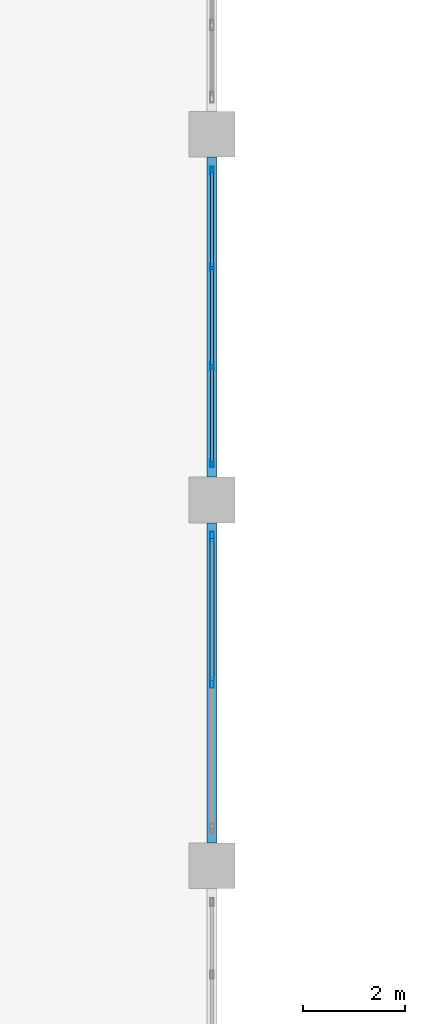
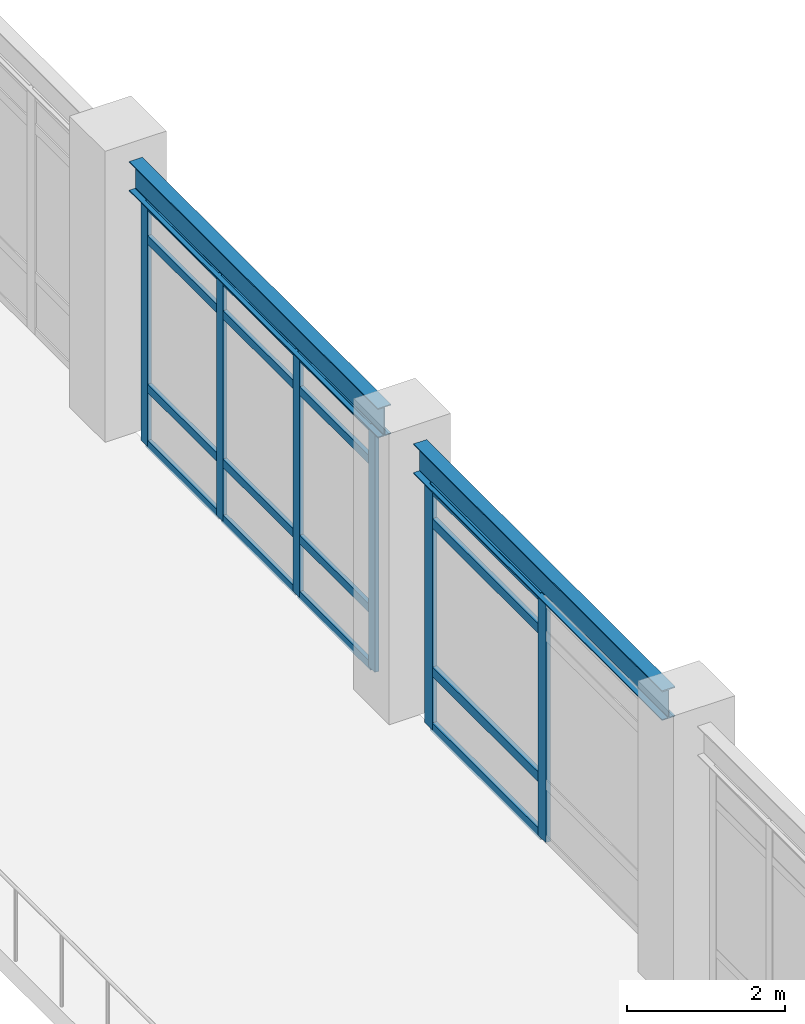
# One storey, part 16 of 106: 22 members, 2 beams, 2 elements without a shape of their own.
"""IFC4 building model written with IfcOpenShell, lengths in metres."""

from ifc_helpers import new_model, si_unit, direction, frame, origin, origin_2d, place, context, subcontext, project, spatial, hollow_rectangle, i_section, extrude, material, layer, layer_set, material_profile, profile_set, type_object, element, aggregate, save


model = new_model("IFC4")

# Units and contexts
model_context = context("Model", 3, precision=1e-05, world=origin(), true_north=direction((0.0, 1.0)))
body_context = subcontext(model_context, "Body", "Model", "MODEL_VIEW")
ifc_project = project(units=[si_unit("LENGTHUNIT", "METRE"), si_unit("AREAUNIT", "SQUARE_METRE"), si_unit("VOLUMEUNIT", "CUBIC_METRE"), si_unit("PLANEANGLEUNIT", "RADIAN"), si_unit("MASSUNIT", "GRAM", prefix="KILO")], contexts=[model_context])

# Site, building, storey
site_placement = place(None, origin())
site = spatial("IfcSite", under=ifc_project, at=site_placement, CompositionType="ELEMENT")
building_placement = place(site_placement, origin())
building = spatial("IfcBuilding", under=site, at=building_placement, Name="Carrowvane Square Congress Hotel", CompositionType="ELEMENT")
storey_placement = place(building_placement, frame((0.0, 0.0, 10.5)))
storey = spatial("IfcBuildingStorey", under=building, at=storey_placement, Name="L02", CompositionType="ELEMENT", Elevation=10.5)

# Beams
ifc_material_1 = material(Name="Steel S355", Category="steel")
ifc_material_profile_1 = material_profile(ifc_material_1, i_section(OverallWidth=0.19140625, OverallDepth=0.4599609375, WebThickness=0.010009765625, FlangeThickness=0.01611328125, FilletRadius=0.01025390625, at=origin_2d()), Name="UKB 457x191x82")
ifc_profile_set_1 = profile_set([ifc_material_profile_1], Name="Steel S355")
beam_type = type_object("IfcBeamType", Name="BM-ST-UKB457", PredefinedType="SPANDREL", material=ifc_profile_set_1)
for number, where, z_axis, x_axis, name in (
    (1, (62.0, 13.050048828125, 3.989990234375), (0.0, 1.0, 0.0), (-1.0, 0.0, 0.0), "L03 girder 8/B-C"),
    (2, (62.0, 20.25, 3.989990234375), (0.0, 1.0, 0.0), (-1.0, 0.0, 0.0), "L03 girder 8/C-D"),
):
    element("IfcBeam", number, at=place(storey_placement, frame(where, z_axis=z_axis, x_axis=x_axis)), inside=storey, type_object=beam_type, Name=name, PredefinedType="SPANDREL", context=body_context, shape_type="SweptSolid", body=[
        extrude(i_section(OverallWidth=0.19140625, OverallDepth=0.4599609375, WebThickness=0.010009765625, FlangeThickness=0.01611328125, FilletRadius=0.01025390625, at=origin_2d()), origin(), (0.0, 0.0, 1.0), 6.300048828125),
    ])

# Curtain wall, members
ifc_material_2 = material(Name="Anodised aluminium", Category="aluminium")
ifc_layer_1 = layer(ifc_material_2, 0.18603515625)
ifc_layer_set_1 = layer_set([ifc_layer_1], Name="Anodised aluminium")
curtain_wall_type_1 = type_object("IfcCurtainWallType", Name="CW-SYS-3", PredefinedType="NOTDEFINED", material=ifc_layer_set_1)
curtain_wall_1_placement = place(storey_placement, origin())
curtain_wall_1 = element("IfcCurtainWall", 3, at=curtain_wall_1_placement, inside=storey, type_object=curtain_wall_type_1, Name="L02 unitised curtain wall 186", PredefinedType="NOTDEFINED")
ifc_material_3 = material(Name="Anodised aluminium", Category="aluminium")
ifc_material_profile_2 = material_profile(ifc_material_3, hollow_rectangle(XDim=0.06005859375, YDim=0.159912109375, WallThickness=0.00390625, at=origin_2d()), Name="CW-ML 60x160x4")
ifc_profile_set_2 = profile_set([ifc_material_profile_2], Name="Anodised aluminium")
member_type_1 = type_object("IfcMemberType", Name="CW-MUL-1", PredefinedType="MULLION", material=ifc_profile_set_2)
member_1_placement = place(storey_placement, frame((62.0, 26.280029296875, 0.0), z_axis=(0.0, 0.0, 1.0), x_axis=(1.0, 0.0, 0.0)))
member_1 = element("IfcMember", 4, at=member_1_placement, type_object=member_type_1, Name="CW-3 mullion 1", PredefinedType="MULLION", context=body_context, shape_type="SweptSolid", body=[
    extrude(hollow_rectangle(XDim=0.06005859375, YDim=0.159912109375, WallThickness=0.00390625, at=origin_2d()), origin(), (0.0, 0.0, 1.0), 3.7451171875),
])
member_2_placement = place(storey_placement, frame((62.0, 24.3701171875, 0.0), z_axis=(0.0, 0.0, 1.0), x_axis=(1.0, 0.0, 0.0)))
member_2 = element("IfcMember", 5, at=member_2_placement, type_object=member_type_1, Name="CW-3 mullion 2", PredefinedType="MULLION", context=body_context, shape_type="SweptSolid", body=[
    extrude(hollow_rectangle(XDim=0.06005859375, YDim=0.159912109375, WallThickness=0.00390625, at=origin_2d()), origin(), (0.0, 0.0, 1.0), 3.7451171875),
])
member_3_placement = place(storey_placement, frame((62.0, 22.429931640625, 0.0), z_axis=(0.0, 0.0, 1.0), x_axis=(1.0, 0.0, 0.0)))
member_3 = element("IfcMember", 6, at=member_3_placement, type_object=member_type_1, Name="CW-3 mullion 3", PredefinedType="MULLION", context=body_context, shape_type="SweptSolid", body=[
    extrude(hollow_rectangle(XDim=0.06005859375, YDim=0.159912109375, WallThickness=0.00390625, at=origin_2d()), origin(), (0.0, 0.0, 1.0), 3.7451171875),
])
member_4_placement = place(storey_placement, frame((62.0, 20.52001953125, 0.0), z_axis=(0.0, 0.0, 1.0), x_axis=(1.0, 0.0, 0.0)))
member_4 = element("IfcMember", 7, at=member_4_placement, type_object=member_type_1, Name="CW-3 mullion 4", PredefinedType="MULLION", context=body_context, shape_type="SweptSolid", body=[
    extrude(hollow_rectangle(XDim=0.06005859375, YDim=0.159912109375, WallThickness=0.00390625, at=origin_2d()), origin(), (0.0, 0.0, 1.0), 3.7451171875),
])

ifc_material_4 = material(Name="Anodised aluminium", Category="aluminium")
ifc_layer_2 = layer(ifc_material_4, 0.197998046875)
ifc_layer_set_2 = layer_set([ifc_layer_2], Name="Anodised aluminium")
curtain_wall_type_2 = type_object("IfcCurtainWallType", Name="CW-SYS-4", PredefinedType="NOTDEFINED", material=ifc_layer_set_2)
curtain_wall_2_placement = place(storey_placement, origin())
curtain_wall_2 = element("IfcCurtainWall", 8, at=curtain_wall_2_placement, inside=storey, type_object=curtain_wall_type_2, Name="L02 unitised curtain wall 187", PredefinedType="NOTDEFINED")
ifc_material_5 = material(Name="Anodised aluminium", Category="aluminium")
ifc_material_profile_3 = material_profile(ifc_material_5, hollow_rectangle(XDim=0.070068359375, YDim=0.199951171875, WallThickness=0.0048828125, at=origin_2d()), Name="CW-ML 70x200x5")
ifc_profile_set_3 = profile_set([ifc_material_profile_3], Name="Anodised aluminium")
member_type_2 = type_object("IfcMemberType", Name="CW-MUL-2", PredefinedType="MULLION", material=ifc_profile_set_3)
member_5_placement = place(storey_placement, frame((62.0, 19.074951171875, 0.0), z_axis=(0.0, 0.0, 1.0), x_axis=(1.0, 0.0, 0.0)))
member_5 = element("IfcMember", 9, at=member_5_placement, type_object=member_type_2, Name="CW-4 mullion 1", PredefinedType="MULLION", context=body_context, shape_type="SweptSolid", body=[
    extrude(hollow_rectangle(XDim=0.070068359375, YDim=0.199951171875, WallThickness=0.0048828125, at=origin_2d()), origin(), (0.0, 0.0, 1.0), 3.7451171875),
])
member_6_placement = place(storey_placement, frame((62.0, 16.199951171875, 0.0), z_axis=(0.0, 0.0, 1.0), x_axis=(1.0, 0.0, 0.0)))
member_6 = element("IfcMember", 10, at=member_6_placement, type_object=member_type_2, Name="CW-4 mullion 2", PredefinedType="MULLION", context=body_context, shape_type="SweptSolid", body=[
    extrude(hollow_rectangle(XDim=0.070068359375, YDim=0.199951171875, WallThickness=0.0048828125, at=origin_2d()), origin(), (0.0, 0.0, 1.0), 3.7451171875),
])

# Member
ifc_material_6 = material(Name="Anodised aluminium", Category="aluminium")
ifc_material_profile_4 = material_profile(ifc_material_6, hollow_rectangle(XDim=0.06005859375, YDim=0.1298828125, WallThickness=0.00390625, at=origin_2d()), Name="CW-TR 60x130x4")
ifc_profile_set_4 = profile_set([ifc_material_profile_4], Name="Anodised aluminium")
member_type_3 = type_object("IfcMemberType", Name="CW-TRN-1", PredefinedType="USERDEFINED", material=ifc_profile_set_4)
member_7_placement = place(storey_placement, frame((62.0, 26.25, 0.030029296875), z_axis=(0.0, -1.0, 0.0), x_axis=(1.0, 0.0, 0.0)))
member_7 = element("IfcMember", 11, at=member_7_placement, type_object=member_type_3, Name="CW-3 transom 1.1", ObjectType="TRANSOM", PredefinedType="USERDEFINED", context=body_context, shape_type="SweptSolid", body=[
    extrude(hollow_rectangle(XDim=0.06005859375, YDim=0.1298828125, WallThickness=0.00390625, at=origin_2d()), origin(), (0.0, 0.0, 1.0), 1.85009765625),
])

member_8_placement = place(storey_placement, frame((62.0, 26.25, 0.89990234375), z_axis=(0.0, -1.0, 0.0), x_axis=(1.0, 0.0, 0.0)))
member_8 = element("IfcMember", 12, at=member_8_placement, type_object=member_type_3, Name="CW-3 transom 1.2", ObjectType="TRANSOM", PredefinedType="USERDEFINED", context=body_context, shape_type="SweptSolid", body=[
    extrude(hollow_rectangle(XDim=0.06005859375, YDim=0.1298828125, WallThickness=0.00390625, at=origin_2d()), origin(), (0.0, 0.0, 1.0), 1.85009765625),
])

member_9_placement = place(storey_placement, frame((62.0, 26.25, 3.195068359375), z_axis=(0.0, -1.0, 0.0), x_axis=(1.0, 0.0, 0.0)))
member_9 = element("IfcMember", 13, at=member_9_placement, type_object=member_type_3, Name="CW-3 transom 1.3", ObjectType="TRANSOM", PredefinedType="USERDEFINED", context=body_context, shape_type="SweptSolid", body=[
    extrude(hollow_rectangle(XDim=0.06005859375, YDim=0.1298828125, WallThickness=0.00390625, at=origin_2d()), origin(), (0.0, 0.0, 1.0), 1.85009765625),
])

member_10_placement = place(storey_placement, frame((62.0, 26.25, 3.715087890625), z_axis=(0.0, -1.0, 0.0), x_axis=(1.0, 0.0, 0.0)))
member_10 = element("IfcMember", 14, at=member_10_placement, type_object=member_type_3, Name="CW-3 transom 1.4", ObjectType="TRANSOM", PredefinedType="USERDEFINED", context=body_context, shape_type="SweptSolid", body=[
    extrude(hollow_rectangle(XDim=0.06005859375, YDim=0.1298828125, WallThickness=0.00390625, at=origin_2d()), origin(), (0.0, 0.0, 1.0), 1.85009765625),
])

member_11_placement = place(storey_placement, frame((62.0, 24.340087890625, 0.030029296875), z_axis=(0.0, -1.0, 0.0), x_axis=(1.0, 0.0, 0.0)))
member_11 = element("IfcMember", 15, at=member_11_placement, type_object=member_type_3, Name="CW-3 transom 2.1", ObjectType="TRANSOM", PredefinedType="USERDEFINED", context=body_context, shape_type="SweptSolid", body=[
    extrude(hollow_rectangle(XDim=0.06005859375, YDim=0.1298828125, WallThickness=0.00390625, at=origin_2d()), origin(), (0.0, 0.0, 1.0), 1.880126953125),
])

member_12_placement = place(storey_placement, frame((62.0, 24.340087890625, 0.89990234375), z_axis=(0.0, -1.0, 0.0), x_axis=(1.0, 0.0, 0.0)))
member_12 = element("IfcMember", 16, at=member_12_placement, type_object=member_type_3, Name="CW-3 transom 2.2", ObjectType="TRANSOM", PredefinedType="USERDEFINED", context=body_context, shape_type="SweptSolid", body=[
    extrude(hollow_rectangle(XDim=0.06005859375, YDim=0.1298828125, WallThickness=0.00390625, at=origin_2d()), origin(), (0.0, 0.0, 1.0), 1.880126953125),
])

member_13_placement = place(storey_placement, frame((62.0, 24.340087890625, 3.195068359375), z_axis=(0.0, -1.0, 0.0), x_axis=(1.0, 0.0, 0.0)))
member_13 = element("IfcMember", 17, at=member_13_placement, type_object=member_type_3, Name="CW-3 transom 2.3", ObjectType="TRANSOM", PredefinedType="USERDEFINED", context=body_context, shape_type="SweptSolid", body=[
    extrude(hollow_rectangle(XDim=0.06005859375, YDim=0.1298828125, WallThickness=0.00390625, at=origin_2d()), origin(), (0.0, 0.0, 1.0), 1.880126953125),
])

member_14_placement = place(storey_placement, frame((62.0, 24.340087890625, 3.715087890625), z_axis=(0.0, -1.0, 0.0), x_axis=(1.0, 0.0, 0.0)))
member_14 = element("IfcMember", 18, at=member_14_placement, type_object=member_type_3, Name="CW-3 transom 2.4", ObjectType="TRANSOM", PredefinedType="USERDEFINED", context=body_context, shape_type="SweptSolid", body=[
    extrude(hollow_rectangle(XDim=0.06005859375, YDim=0.1298828125, WallThickness=0.00390625, at=origin_2d()), origin(), (0.0, 0.0, 1.0), 1.880126953125),
])

member_15_placement = place(storey_placement, frame((62.0, 22.39990234375, 0.030029296875), z_axis=(0.0, -1.0, 0.0), x_axis=(1.0, 0.0, 0.0)))
member_15 = element("IfcMember", 19, at=member_15_placement, type_object=member_type_3, Name="CW-3 transom 3.1", ObjectType="TRANSOM", PredefinedType="USERDEFINED", context=body_context, shape_type="SweptSolid", body=[
    extrude(hollow_rectangle(XDim=0.06005859375, YDim=0.1298828125, WallThickness=0.00390625, at=origin_2d()), origin(), (0.0, 0.0, 1.0), 1.849853515625),
])

member_16_placement = place(storey_placement, frame((62.0, 22.39990234375, 0.89990234375), z_axis=(0.0, -1.0, 0.0), x_axis=(1.0, 0.0, 0.0)))
member_16 = element("IfcMember", 20, at=member_16_placement, type_object=member_type_3, Name="CW-3 transom 3.2", ObjectType="TRANSOM", PredefinedType="USERDEFINED", context=body_context, shape_type="SweptSolid", body=[
    extrude(hollow_rectangle(XDim=0.06005859375, YDim=0.1298828125, WallThickness=0.00390625, at=origin_2d()), origin(), (0.0, 0.0, 1.0), 1.849853515625),
])

member_17_placement = place(storey_placement, frame((62.0, 22.39990234375, 3.195068359375), z_axis=(0.0, -1.0, 0.0), x_axis=(1.0, 0.0, 0.0)))
member_17 = element("IfcMember", 21, at=member_17_placement, type_object=member_type_3, Name="CW-3 transom 3.3", ObjectType="TRANSOM", PredefinedType="USERDEFINED", context=body_context, shape_type="SweptSolid", body=[
    extrude(hollow_rectangle(XDim=0.06005859375, YDim=0.1298828125, WallThickness=0.00390625, at=origin_2d()), origin(), (0.0, 0.0, 1.0), 1.849853515625),
])

member_18_placement = place(storey_placement, frame((62.0, 22.39990234375, 3.715087890625), z_axis=(0.0, -1.0, 0.0), x_axis=(1.0, 0.0, 0.0)))
member_18 = element("IfcMember", 22, at=member_18_placement, type_object=member_type_3, Name="CW-3 transom 3.4", ObjectType="TRANSOM", PredefinedType="USERDEFINED", context=body_context, shape_type="SweptSolid", body=[
    extrude(hollow_rectangle(XDim=0.06005859375, YDim=0.1298828125, WallThickness=0.00390625, at=origin_2d()), origin(), (0.0, 0.0, 1.0), 1.849853515625),
])

aggregate(curtain_wall_1, [member_1, member_2, member_3, member_4, member_7, member_8, member_9, member_10, member_11, member_12, member_13, member_14, member_15, member_16, member_17, member_18])

ifc_material_7 = material(Name="Anodised aluminium", Category="aluminium")
ifc_material_profile_5 = material_profile(ifc_material_7, hollow_rectangle(XDim=0.070068359375, YDim=0.14990234375, WallThickness=0.0048828125, at=origin_2d()), Name="CW-TR 70x150x5")
ifc_profile_set_5 = profile_set([ifc_material_profile_5], Name="Anodised aluminium")
member_type_4 = type_object("IfcMemberType", Name="CW-TRN-2", PredefinedType="USERDEFINED", material=ifc_profile_set_5)
member_19_placement = place(storey_placement, frame((62.0, 19.0400390625, 0.034912109375), z_axis=(0.0, -1.0, 0.0), x_axis=(1.0, 0.0, 0.0)))
member_19 = element("IfcMember", 23, at=member_19_placement, type_object=member_type_4, Name="CW-4 transom 1.1", ObjectType="TRANSOM", PredefinedType="USERDEFINED", context=body_context, shape_type="SweptSolid", body=[
    extrude(hollow_rectangle(XDim=0.070068359375, YDim=0.14990234375, WallThickness=0.0048828125, at=origin_2d()), origin(), (0.0, 0.0, 1.0), 2.804931640625),
])

member_20_placement = place(storey_placement, frame((62.0, 19.0400390625, 0.89990234375), z_axis=(0.0, -1.0, 0.0), x_axis=(1.0, 0.0, 0.0)))
member_20 = element("IfcMember", 24, at=member_20_placement, type_object=member_type_4, Name="CW-4 transom 1.2", ObjectType="TRANSOM", PredefinedType="USERDEFINED", context=body_context, shape_type="SweptSolid", body=[
    extrude(hollow_rectangle(XDim=0.070068359375, YDim=0.14990234375, WallThickness=0.0048828125, at=origin_2d()), origin(), (0.0, 0.0, 1.0), 2.804931640625),
])

member_21_placement = place(storey_placement, frame((62.0, 19.0400390625, 3.195068359375), z_axis=(0.0, -1.0, 0.0), x_axis=(1.0, 0.0, 0.0)))
member_21 = element("IfcMember", 25, at=member_21_placement, type_object=member_type_4, Name="CW-4 transom 1.3", ObjectType="TRANSOM", PredefinedType="USERDEFINED", context=body_context, shape_type="SweptSolid", body=[
    extrude(hollow_rectangle(XDim=0.070068359375, YDim=0.14990234375, WallThickness=0.0048828125, at=origin_2d()), origin(), (0.0, 0.0, 1.0), 2.804931640625),
])

member_22_placement = place(storey_placement, frame((62.0, 19.0400390625, 3.7099609375), z_axis=(0.0, -1.0, 0.0), x_axis=(1.0, 0.0, 0.0)))
member_22 = element("IfcMember", 26, at=member_22_placement, type_object=member_type_4, Name="CW-4 transom 1.4", ObjectType="TRANSOM", PredefinedType="USERDEFINED", context=body_context, shape_type="SweptSolid", body=[
    extrude(hollow_rectangle(XDim=0.070068359375, YDim=0.14990234375, WallThickness=0.0048828125, at=origin_2d()), origin(), (0.0, 0.0, 1.0), 2.804931640625),
])

aggregate(curtain_wall_2, [member_5, member_6, member_19, member_20, member_21, member_22])

save(model, "model.ifc")
